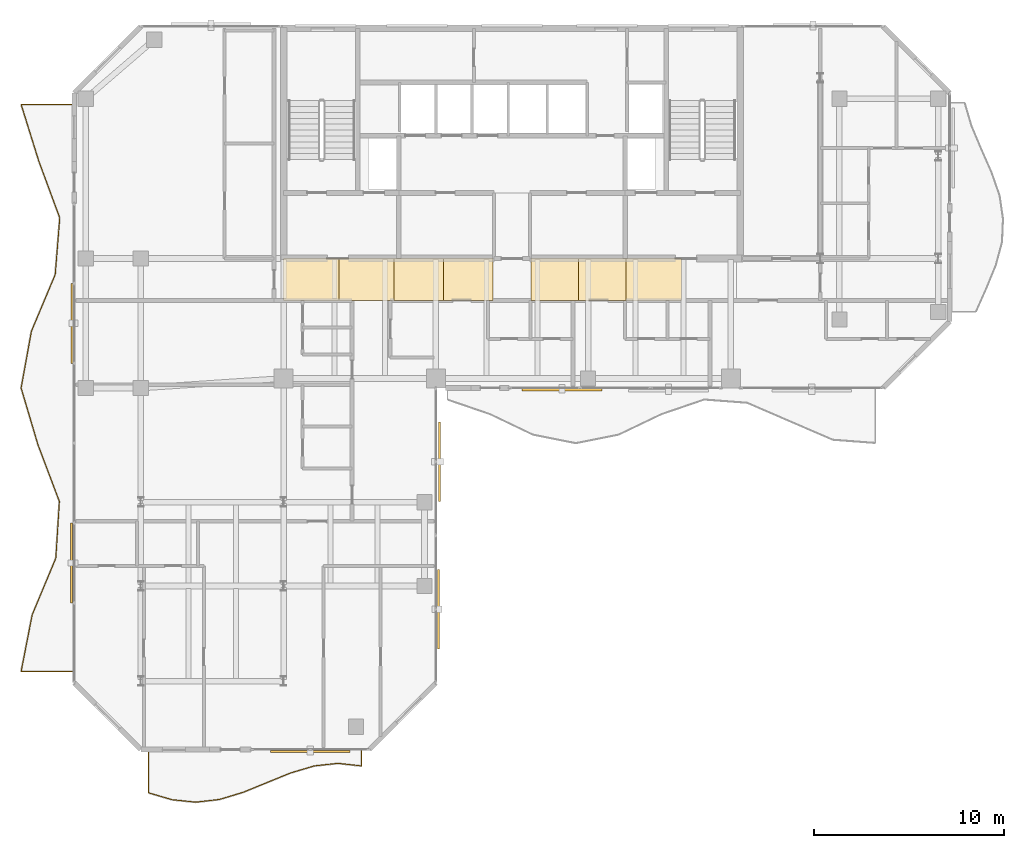
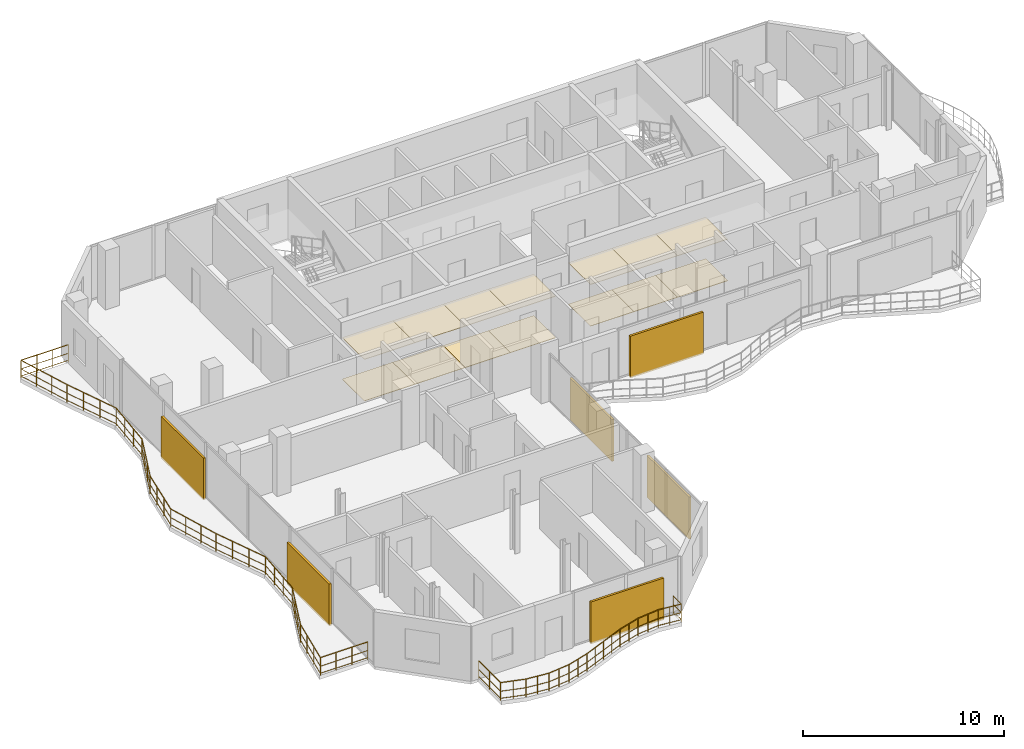
# One storey, part 21 of 23: 14 coverings, 6 shading devices, 2 railings.
"""IFC4 building model written with IfcOpenShell, lengths in metres."""

from ifc_helpers import new_model, si_unit, direction, frame, origin, origin_2d, place, context, subcontext, project, spatial, polyline, rectangle, circle, outline, extrude, material, layer, layer_set, type_object, element, save


model = new_model("IFC4")

# Units and contexts
model_context = context("Model", 3, precision=1e-05, world=origin(), true_north=direction((0.0, 1.0)))
body_context = subcontext(model_context, "Body", "Model", "MODEL_VIEW")
ifc_project = project(units=[si_unit("LENGTHUNIT", "METRE"), si_unit("AREAUNIT", "SQUARE_METRE"), si_unit("VOLUMEUNIT", "CUBIC_METRE"), si_unit("PLANEANGLEUNIT", "RADIAN"), si_unit("MASSUNIT", "GRAM", prefix="KILO")], contexts=[model_context])

# Site, building, storey
site_placement = place(None, origin())
site = spatial("IfcSite", under=ifc_project, at=site_placement, CompositionType="ELEMENT")
building_placement = place(site_placement, origin())
building = spatial("IfcBuilding", under=site, at=building_placement, Name="Catumbela Crestline Tower", CompositionType="ELEMENT")
storey_placement = place(building_placement, frame((0.0, 0.0, 183.0)))
storey = spatial("IfcBuildingStorey", under=building, at=storey_placement, Name="L47", CompositionType="ELEMENT", Elevation=183.0)

# Coverings
ifc_material_1 = material(Name="Mineral-fibre acoustic ceiling")
ifc_layer_1 = layer(ifc_material_1, 0.03, Name="Mineral-fibre acoustic ceiling")
ifc_layer_set_1 = layer_set([ifc_layer_1], Name="Mineral-fibre acoustic ceiling")
covering_type_1 = type_object("IfcCoveringType", Name="CC-AC", PredefinedType="CEILING", material=ifc_layer_set_1)
covering_1_placement = place(storey_placement, frame((0.0, 0.0, 2.52)))
element("IfcCovering", 1, at=covering_1_placement, inside=storey, type_object=covering_type_1, Name="L47 Corridor Acoustic Ceiling Bay 1", PredefinedType="CEILING", context=body_context, shape_type="SweptSolid", body=[
    extrude(outline(polyline([(16.0, 28.6), (18.9, 28.6), (18.9, 30.8), (16.0, 30.8), (16.0, 28.6)])), origin(), (0.0, 0.0, 1.0), 0.03),
])
covering_2_placement = place(storey_placement, frame((0.0, 0.0, 2.52)))
element("IfcCovering", 2, at=covering_2_placement, inside=storey, type_object=covering_type_1, Name="L47 Corridor Acoustic Ceiling Bay 2", PredefinedType="CEILING", context=body_context, shape_type="SweptSolid", body=[
    extrude(outline(polyline([(18.9, 28.6), (21.8, 28.6), (21.8, 30.8), (18.9, 30.8), (18.9, 28.6)])), origin(), (0.0, 0.0, 1.0), 0.03),
])
covering_3_placement = place(storey_placement, frame((0.0, 0.0, 2.52)))
element("IfcCovering", 3, at=covering_3_placement, inside=storey, type_object=covering_type_1, Name="L47 Corridor Acoustic Ceiling Bay 3", PredefinedType="CEILING", context=body_context, shape_type="SweptSolid", body=[
    extrude(outline(polyline([(21.8, 28.6), (24.4, 28.6), (24.4, 30.8), (21.8, 30.8), (21.8, 28.6)])), origin(), (0.0, 0.0, 1.0), 0.03),
])
covering_4_placement = place(storey_placement, frame((0.0, 0.0, 2.52)))
element("IfcCovering", 4, at=covering_4_placement, inside=storey, type_object=covering_type_1, Name="L47 Corridor Acoustic Ceiling Bay 4", PredefinedType="CEILING", context=body_context, shape_type="SweptSolid", body=[
    extrude(outline(polyline([(24.4, 28.6), (27.0, 28.6), (27.0, 30.8), (24.4, 30.8), (24.4, 28.6)])), origin(), (0.0, 0.0, 1.0), 0.03),
])
covering_5_placement = place(storey_placement, frame((0.0, 0.0, 2.52)))
element("IfcCovering", 5, at=covering_5_placement, inside=storey, type_object=covering_type_1, Name="L47 Corridor Acoustic Ceiling Bay 5", PredefinedType="CEILING", context=body_context, shape_type="SweptSolid", body=[
    extrude(outline(polyline([(29.0, 28.6), (31.5, 28.6), (31.5, 30.8), (29.0, 30.8), (29.0, 28.6)])), origin(), (0.0, 0.0, 1.0), 0.03),
])
covering_6_placement = place(storey_placement, frame((0.0, 0.0, 2.52)))
element("IfcCovering", 6, at=covering_6_placement, inside=storey, type_object=covering_type_1, Name="L47 Corridor Acoustic Ceiling Bay 6", PredefinedType="CEILING", context=body_context, shape_type="SweptSolid", body=[
    extrude(outline(polyline([(31.5, 28.6), (34.0, 28.6), (34.0, 30.8), (31.5, 30.8), (31.5, 28.6)])), origin(), (0.0, 0.0, 1.0), 0.03),
])
covering_7_placement = place(storey_placement, frame((0.0, 0.0, 2.52)))
element("IfcCovering", 7, at=covering_7_placement, inside=storey, type_object=covering_type_1, Name="L47 Corridor Acoustic Ceiling Bay 7", PredefinedType="CEILING", context=body_context, shape_type="SweptSolid", body=[
    extrude(outline(polyline([(34.0, 28.6), (36.9, 28.6), (36.9, 30.8), (34.0, 30.8), (34.0, 28.6)])), origin(), (0.0, 0.0, 1.0), 0.03),
])
ifc_material_2 = material(Name="Angolan grey-ochre granite", Category="masonry")
ifc_layer_2 = layer(ifc_material_2, 0.025, Name="Angolan grey-ochre granite")
ifc_layer_set_2 = layer_set([ifc_layer_2], Name="Angolan grey-ochre granite")
covering_type_2 = type_object("IfcCoveringType", Name="CF-GR", PredefinedType="FLOORING", material=ifc_layer_set_2)
covering_8_placement = place(storey_placement, origin())
element("IfcCovering", 8, at=covering_8_placement, inside=storey, type_object=covering_type_2, Name="L47 Corridor Granite Flooring Bay 1", PredefinedType="FLOORING", context=body_context, shape_type="SweptSolid", body=[
    extrude(outline(polyline([(16.0, 28.6), (18.9, 28.6), (18.9, 30.8), (16.0, 30.8), (16.0, 28.6)])), origin(), (0.0, 0.0, 1.0), 0.025),
])
covering_9_placement = place(storey_placement, origin())
element("IfcCovering", 9, at=covering_9_placement, inside=storey, type_object=covering_type_2, Name="L47 Corridor Granite Flooring Bay 2", PredefinedType="FLOORING", context=body_context, shape_type="SweptSolid", body=[
    extrude(outline(polyline([(18.9, 28.6), (21.8, 28.6), (21.8, 30.8), (18.9, 30.8), (18.9, 28.6)])), origin(), (0.0, 0.0, 1.0), 0.025),
])
covering_10_placement = place(storey_placement, origin())
element("IfcCovering", 10, at=covering_10_placement, inside=storey, type_object=covering_type_2, Name="L47 Corridor Granite Flooring Bay 3", PredefinedType="FLOORING", context=body_context, shape_type="SweptSolid", body=[
    extrude(outline(polyline([(21.8, 28.6), (24.4, 28.6), (24.4, 30.8), (21.8, 30.8), (21.8, 28.6)])), origin(), (0.0, 0.0, 1.0), 0.025),
])
covering_11_placement = place(storey_placement, origin())
element("IfcCovering", 11, at=covering_11_placement, inside=storey, type_object=covering_type_2, Name="L47 Corridor Granite Flooring Bay 4", PredefinedType="FLOORING", context=body_context, shape_type="SweptSolid", body=[
    extrude(outline(polyline([(24.4, 28.6), (27.0, 28.6), (27.0, 30.8), (24.4, 30.8), (24.4, 28.6)])), origin(), (0.0, 0.0, 1.0), 0.025),
])
covering_12_placement = place(storey_placement, origin())
element("IfcCovering", 12, at=covering_12_placement, inside=storey, type_object=covering_type_2, Name="L47 Corridor Granite Flooring Bay 5", PredefinedType="FLOORING", context=body_context, shape_type="SweptSolid", body=[
    extrude(outline(polyline([(29.0, 28.6), (31.5, 28.6), (31.5, 30.8), (29.0, 30.8), (29.0, 28.6)])), origin(), (0.0, 0.0, 1.0), 0.025),
])
covering_13_placement = place(storey_placement, origin())
element("IfcCovering", 13, at=covering_13_placement, inside=storey, type_object=covering_type_2, Name="L47 Corridor Granite Flooring Bay 6", PredefinedType="FLOORING", context=body_context, shape_type="SweptSolid", body=[
    extrude(outline(polyline([(31.5, 28.6), (34.0, 28.6), (34.0, 30.8), (31.5, 30.8), (31.5, 28.6)])), origin(), (0.0, 0.0, 1.0), 0.025),
])
covering_14_placement = place(storey_placement, origin())
element("IfcCovering", 14, at=covering_14_placement, inside=storey, type_object=covering_type_2, Name="L47 Corridor Granite Flooring Bay 7", PredefinedType="FLOORING", context=body_context, shape_type="SweptSolid", body=[
    extrude(outline(polyline([(34.0, 28.6), (36.9, 28.6), (36.9, 30.8), (34.0, 30.8), (34.0, 28.6)])), origin(), (0.0, 0.0, 1.0), 0.025),
])

# Railings
ifc_material_3 = material(Name="Stainless steel EN 1.4401", Category="steel")
railing_type = type_object("IfcRailingType", Name="RB-1100", PredefinedType="BALUSTRADE", material=ifc_material_3)
railing_1_placement = place(storey_placement, frame((8.9, 4.94, 0.0)))
element("IfcRailing", 15, at=railing_1_placement, inside=storey, type_object=railing_type, Name="L47 Private Wave Balcony Balustrade 3", PredefinedType="BALUSTRADE", context=body_context, shape_type="SweptSolid", body=[
    extrude(circle(Radius=0.024, at=origin_2d()), frame((0.0, 0.0, 1.076), z_axis=(0.0, -1.0, 0.0), x_axis=(1.0, 0.0, 0.0)), (0.0, 0.0, 1.0), 2.2074),
    extrude(circle(Radius=0.0156, at=origin_2d()), frame((0.0, 0.0, 0.55), z_axis=(0.0, -1.0, 0.0), x_axis=(1.0, 0.0, 0.0)), (0.0, 0.0, 1.0), 2.2074),
    extrude(circle(Radius=0.0156, at=origin_2d()), frame((0.0, 0.0, 0.12), z_axis=(0.0, -1.0, 0.0), x_axis=(1.0, 0.0, 0.0)), (0.0, 0.0, 1.0), 2.2074),
    extrude(circle(Radius=0.024, at=origin_2d()), frame((0.0, -2.2074, 1.076), z_axis=(0.959636438808, -0.281243498259, 0.0), x_axis=(0.281243498259, 0.959636438808, 0.0)), (0.0, 0.0, 1.0), 1.2967),
    extrude(circle(Radius=0.0156, at=origin_2d()), frame((0.0, -2.2074, 0.55), z_axis=(0.959636438808, -0.281243498259, 0.0), x_axis=(0.281243498259, 0.959636438808, 0.0)), (0.0, 0.0, 1.0), 1.2967),
    extrude(circle(Radius=0.0156, at=origin_2d()), frame((0.0, -2.2074, 0.12), z_axis=(0.959636438808, -0.281243498259, 0.0), x_axis=(0.281243498259, 0.959636438808, 0.0)), (0.0, 0.0, 1.0), 1.2967),
    extrude(circle(Radius=0.024, at=origin_2d()), frame((1.2444, -2.5721, 1.076), z_axis=(0.99476853318, -0.102154615139, 0.0), x_axis=(0.102154615139, 0.99476853318, 0.0)), (0.0, 0.0, 1.0), 1.251),
    extrude(circle(Radius=0.0156, at=origin_2d()), frame((1.2444, -2.5721, 0.55), z_axis=(0.99476853318, -0.102154615139, 0.0), x_axis=(0.102154615139, 0.99476853318, 0.0)), (0.0, 0.0, 1.0), 1.251),
    extrude(circle(Radius=0.0156, at=origin_2d()), frame((1.2444, -2.5721, 0.12), z_axis=(0.99476853318, -0.102154615139, 0.0), x_axis=(0.102154615139, 0.99476853318, 0.0)), (0.0, 0.0, 1.0), 1.251),
    extrude(circle(Radius=0.024, at=origin_2d()), frame((2.4889, -2.6999, 1.076), z_axis=(0.993452916822, 0.114242295401, 0.0), x_axis=(-0.114242295401, 0.993452916822, 0.0)), (0.0, 0.0, 1.0), 1.2526),
    extrude(circle(Radius=0.0156, at=origin_2d()), frame((2.4889, -2.6999, 0.55), z_axis=(0.993452916822, 0.114242295401, 0.0), x_axis=(-0.114242295401, 0.993452916822, 0.0)), (0.0, 0.0, 1.0), 1.2526),
    extrude(circle(Radius=0.0156, at=origin_2d()), frame((2.4889, -2.6999, 0.12), z_axis=(0.993452916822, 0.114242295401, 0.0), x_axis=(-0.114242295401, 0.993452916822, 0.0)), (0.0, 0.0, 1.0), 1.2526),
    extrude(circle(Radius=0.024, at=origin_2d()), frame((3.7333, -2.5568, 1.076), z_axis=(0.95724214329, 0.289287882757, 0.0), x_axis=(-0.289287882757, 0.95724214329, 0.0)), (0.0, 0.0, 1.0), 1.3001),
    extrude(circle(Radius=0.0156, at=origin_2d()), frame((3.7333, -2.5568, 0.55), z_axis=(0.95724214329, 0.289287882757, 0.0), x_axis=(-0.289287882757, 0.95724214329, 0.0)), (0.0, 0.0, 1.0), 1.3001),
    extrude(circle(Radius=0.0156, at=origin_2d()), frame((3.7333, -2.5568, 0.12), z_axis=(0.95724214329, 0.289287882757, 0.0), x_axis=(-0.289287882757, 0.95724214329, 0.0)), (0.0, 0.0, 1.0), 1.3001),
    extrude(circle(Radius=0.024, at=origin_2d()), frame((4.9778, -2.1807, 1.076), z_axis=(0.925565911687, 0.378586506789, 0.0), x_axis=(-0.378586506789, 0.925565911687, 0.0)), (0.0, 0.0, 1.0), 1.3445),
    extrude(circle(Radius=0.0156, at=origin_2d()), frame((4.9778, -2.1807, 0.55), z_axis=(0.925565911687, 0.378586506789, 0.0), x_axis=(-0.378586506789, 0.925565911687, 0.0)), (0.0, 0.0, 1.0), 1.3445),
    extrude(circle(Radius=0.0156, at=origin_2d()), frame((4.9778, -2.1807, 0.12), z_axis=(0.925565911687, 0.378586506789, 0.0), x_axis=(-0.378586506789, 0.925565911687, 0.0)), (0.0, 0.0, 1.0), 1.3445),
    extrude(circle(Radius=0.024, at=origin_2d()), frame((6.2222, -1.6717, 1.076), z_axis=(0.926149170652, 0.377157412364, 0.0), x_axis=(-0.377157412364, 0.926149170652, 0.0)), (0.0, 0.0, 1.0), 1.3437),
    extrude(circle(Radius=0.0156, at=origin_2d()), frame((6.2222, -1.6717, 0.55), z_axis=(0.926149170652, 0.377157412364, 0.0), x_axis=(-0.377157412364, 0.926149170652, 0.0)), (0.0, 0.0, 1.0), 1.3437),
    extrude(circle(Radius=0.0156, at=origin_2d()), frame((6.2222, -1.6717, 0.12), z_axis=(0.926149170652, 0.377157412364, 0.0), x_axis=(-0.377157412364, 0.926149170652, 0.0)), (0.0, 0.0, 1.0), 1.3437),
    extrude(circle(Radius=0.024, at=origin_2d()), frame((7.4667, -1.1649, 1.076), z_axis=(0.958527257268, 0.285000872058, 0.0), x_axis=(-0.285000872058, 0.958527257268, 0.0)), (0.0, 0.0, 1.0), 1.2982),
    extrude(circle(Radius=0.0156, at=origin_2d()), frame((7.4667, -1.1649, 0.55), z_axis=(0.958527257268, 0.285000872058, 0.0), x_axis=(-0.285000872058, 0.958527257268, 0.0)), (0.0, 0.0, 1.0), 1.2982),
    extrude(circle(Radius=0.0156, at=origin_2d()), frame((7.4667, -1.1649, 0.12), z_axis=(0.958527257268, 0.285000872058, 0.0), x_axis=(-0.285000872058, 0.958527257268, 0.0)), (0.0, 0.0, 1.0), 1.2982),
    extrude(circle(Radius=0.024, at=origin_2d()), frame((8.7111, -0.7949, 1.076), z_axis=(0.994176321749, 0.107765677625, 0.0), x_axis=(-0.107765677625, 0.994176321749, 0.0)), (0.0, 0.0, 1.0), 1.2518),
    extrude(circle(Radius=0.0156, at=origin_2d()), frame((8.7111, -0.7949, 0.55), z_axis=(0.994176321749, 0.107765677625, 0.0), x_axis=(-0.107765677625, 0.994176321749, 0.0)), (0.0, 0.0, 1.0), 1.2518),
    extrude(circle(Radius=0.0156, at=origin_2d()), frame((8.7111, -0.7949, 0.12), z_axis=(0.994176321749, 0.107765677625, 0.0), x_axis=(-0.107765677625, 0.994176321749, 0.0)), (0.0, 0.0, 1.0), 1.2518),
    extrude(circle(Radius=0.024, at=origin_2d()), frame((9.9556, -0.66, 1.076), z_axis=(0.994072231366, -0.108721657577, 0.0), x_axis=(0.108721657577, 0.994072231366, 0.0)), (0.0, 0.0, 1.0), 1.2518),
    extrude(circle(Radius=0.0156, at=origin_2d()), frame((9.9556, -0.66, 0.55), z_axis=(0.994072231366, -0.108721657577, 0.0), x_axis=(0.108721657577, 0.994072231366, 0.0)), (0.0, 0.0, 1.0), 1.2518),
    extrude(circle(Radius=0.0156, at=origin_2d()), frame((9.9556, -0.66, 0.12), z_axis=(0.994072231366, -0.108721657577, 0.0), x_axis=(0.108721657577, 0.994072231366, 0.0)), (0.0, 0.0, 1.0), 1.2518),
    extrude(circle(Radius=0.024, at=origin_2d()), frame((11.2, -0.7961, 1.076), z_axis=(0.0, 1.0, 0.0), x_axis=(-1.0, 0.0, 0.0)), (0.0, 0.0, 1.0), 0.7961),
    extrude(circle(Radius=0.0156, at=origin_2d()), frame((11.2, -0.7961, 0.55), z_axis=(0.0, 1.0, 0.0), x_axis=(-1.0, 0.0, 0.0)), (0.0, 0.0, 1.0), 0.7961),
    extrude(circle(Radius=0.0156, at=origin_2d()), frame((11.2, -0.7961, 0.12), z_axis=(0.0, 1.0, 0.0), x_axis=(-1.0, 0.0, 0.0)), (0.0, 0.0, 1.0), 0.7961),
    extrude(circle(Radius=0.021, at=origin_2d()), origin(), (0.0, 0.0, 1.0), 1.052),
    extrude(circle(Radius=0.021, at=origin_2d()), frame((0.0, -1.1037, 0.0)), (0.0, 0.0, 1.0), 1.052),
    extrude(circle(Radius=0.021, at=origin_2d()), frame((0.0, -2.2074, 0.0)), (0.0, 0.0, 1.0), 1.052),
    extrude(circle(Radius=0.021, at=origin_2d()), frame((0.6222, -2.3898, 0.0)), (0.0, 0.0, 1.0), 1.052),
    extrude(circle(Radius=0.021, at=origin_2d()), frame((1.2444, -2.5721, 0.0)), (0.0, 0.0, 1.0), 1.052),
    extrude(circle(Radius=0.021, at=origin_2d()), frame((1.8666, -2.636, 0.0)), (0.0, 0.0, 1.0), 1.052),
    extrude(circle(Radius=0.021, at=origin_2d()), frame((2.4889, -2.6999, 0.0)), (0.0, 0.0, 1.0), 1.052),
    extrude(circle(Radius=0.021, at=origin_2d()), frame((3.1111, -2.6284, 0.0)), (0.0, 0.0, 1.0), 1.052),
    extrude(circle(Radius=0.021, at=origin_2d()), frame((3.7333, -2.5568, 0.0)), (0.0, 0.0, 1.0), 1.052),
    extrude(circle(Radius=0.021, at=origin_2d()), frame((4.3556, -2.3688, 0.0)), (0.0, 0.0, 1.0), 1.052),
    extrude(circle(Radius=0.021, at=origin_2d()), frame((4.9778, -2.1807, 0.0)), (0.0, 0.0, 1.0), 1.052),
    extrude(circle(Radius=0.021, at=origin_2d()), frame((5.6, -1.9262, 0.0)), (0.0, 0.0, 1.0), 1.052),
    extrude(circle(Radius=0.021, at=origin_2d()), frame((6.2222, -1.6717, 0.0)), (0.0, 0.0, 1.0), 1.052),
    extrude(circle(Radius=0.021, at=origin_2d()), frame((6.8444, -1.4183, 0.0)), (0.0, 0.0, 1.0), 1.052),
    extrude(circle(Radius=0.021, at=origin_2d()), frame((7.4667, -1.1649, 0.0)), (0.0, 0.0, 1.0), 1.052),
    extrude(circle(Radius=0.021, at=origin_2d()), frame((8.0889, -0.9799, 0.0)), (0.0, 0.0, 1.0), 1.052),
    extrude(circle(Radius=0.021, at=origin_2d()), frame((8.7111, -0.7949, 0.0)), (0.0, 0.0, 1.0), 1.052),
    extrude(circle(Radius=0.021, at=origin_2d()), frame((9.3334, -0.7275, 0.0)), (0.0, 0.0, 1.0), 1.052),
    extrude(circle(Radius=0.021, at=origin_2d()), frame((9.9556, -0.66, 0.0)), (0.0, 0.0, 1.0), 1.052),
    extrude(circle(Radius=0.021, at=origin_2d()), frame((10.5778, -0.7281, 0.0)), (0.0, 0.0, 1.0), 1.052),
    extrude(circle(Radius=0.021, at=origin_2d()), frame((11.2, -0.7961, 0.0)), (0.0, 0.0, 1.0), 1.052),
    extrude(circle(Radius=0.021, at=origin_2d()), frame((11.2, 0.0, 0.0)), (0.0, 0.0, 1.0), 1.052),
])
railing_2_placement = place(storey_placement, frame((4.94, 38.9, 0.0)))
element("IfcRailing", 16, at=railing_2_placement, inside=storey, type_object=railing_type, Name="L47 Private Wave Balcony Balustrade 4", PredefinedType="BALUSTRADE", context=body_context, shape_type="SweptSolid", body=[
    extrude(circle(Radius=0.024, at=origin_2d()), frame((0.0, 0.0, 1.076), z_axis=(-1.0, 0.0, 0.0), x_axis=(0.0, -1.0, 0.0)), (0.0, 0.0, 1.0), 2.73),
    extrude(circle(Radius=0.0156, at=origin_2d()), frame((0.0, 0.0, 0.55), z_axis=(-1.0, 0.0, 0.0), x_axis=(0.0, -1.0, 0.0)), (0.0, 0.0, 1.0), 2.73),
    extrude(circle(Radius=0.0156, at=origin_2d()), frame((0.0, 0.0, 0.12), z_axis=(-1.0, 0.0, 0.0), x_axis=(0.0, -1.0, 0.0)), (0.0, 0.0, 1.0), 2.73),
    extrude(circle(Radius=0.024, at=origin_2d()), frame((-2.73, 0.0, 1.076), z_axis=(0.297910178725, -0.954593906021, 0.0), x_axis=(0.954593906021, 0.297910178725, 0.0)), (0.0, 0.0, 1.0), 3.1217),
    extrude(circle(Radius=0.0156, at=origin_2d()), frame((-2.73, 0.0, 0.55), z_axis=(0.297910178725, -0.954593906021, 0.0), x_axis=(0.954593906021, 0.297910178725, 0.0)), (0.0, 0.0, 1.0), 3.1217),
    extrude(circle(Radius=0.0156, at=origin_2d()), frame((-2.73, 0.0, 0.12), z_axis=(0.297910178725, -0.954593906021, 0.0), x_axis=(0.954593906021, 0.297910178725, 0.0)), (0.0, 0.0, 1.0), 3.1217),
    extrude(circle(Radius=0.024, at=origin_2d()), frame((-1.8, -2.98, 1.076), z_axis=(0.346261132373, -0.938138171171, 0.0), x_axis=(0.938138171171, 0.346261132373, 0.0)), (0.0, 0.0, 1.0), 3.1765),
    extrude(circle(Radius=0.0156, at=origin_2d()), frame((-1.8, -2.98, 0.55), z_axis=(0.346261132373, -0.938138171171, 0.0), x_axis=(0.938138171171, 0.346261132373, 0.0)), (0.0, 0.0, 1.0), 3.1765),
    extrude(circle(Radius=0.0156, at=origin_2d()), frame((-1.8, -2.98, 0.12), z_axis=(0.346261132373, -0.938138171171, 0.0), x_axis=(0.938138171171, 0.346261132373, 0.0)), (0.0, 0.0, 1.0), 3.1765),
    extrude(circle(Radius=0.024, at=origin_2d()), frame((-0.7001, -5.96, 1.076), z_axis=(-0.079844933458, -0.996807296623, 0.0), x_axis=(0.996807296623, -0.079844933458, 0.0)), (0.0, 0.0, 1.0), 2.9895),
    extrude(circle(Radius=0.0156, at=origin_2d()), frame((-0.7001, -5.96, 0.55), z_axis=(-0.079844933458, -0.996807296623, 0.0), x_axis=(0.996807296623, -0.079844933458, 0.0)), (0.0, 0.0, 1.0), 2.9895),
    extrude(circle(Radius=0.0156, at=origin_2d()), frame((-0.7001, -5.96, 0.12), z_axis=(-0.079844933458, -0.996807296623, 0.0), x_axis=(0.996807296623, -0.079844933458, 0.0)), (0.0, 0.0, 1.0), 2.9895),
    extrude(circle(Radius=0.024, at=origin_2d()), frame((-0.9388, -8.94, 1.076), z_axis=(-0.387127277892, -0.922026285261, 0.0), x_axis=(0.922026285261, -0.387127277892, 0.0)), (0.0, 0.0, 1.0), 3.232),
    extrude(circle(Radius=0.0156, at=origin_2d()), frame((-0.9388, -8.94, 0.55), z_axis=(-0.387127277892, -0.922026285261, 0.0), x_axis=(0.922026285261, -0.387127277892, 0.0)), (0.0, 0.0, 1.0), 3.232),
    extrude(circle(Radius=0.0156, at=origin_2d()), frame((-0.9388, -8.94, 0.12), z_axis=(-0.387127277892, -0.922026285261, 0.0), x_axis=(0.922026285261, -0.387127277892, 0.0)), (0.0, 0.0, 1.0), 3.232),
    extrude(circle(Radius=0.024, at=origin_2d()), frame((-2.19, -11.92, 1.076), z_axis=(-0.178304267161, -0.983975400258, 0.0), x_axis=(0.983975400258, -0.178304267161, 0.0)), (0.0, 0.0, 1.0), 3.0285),
    extrude(circle(Radius=0.0156, at=origin_2d()), frame((-2.19, -11.92, 0.55), z_axis=(-0.178304267161, -0.983975400258, 0.0), x_axis=(0.983975400258, -0.178304267161, 0.0)), (0.0, 0.0, 1.0), 3.0285),
    extrude(circle(Radius=0.0156, at=origin_2d()), frame((-2.19, -11.92, 0.12), z_axis=(-0.178304267161, -0.983975400258, 0.0), x_axis=(0.983975400258, -0.178304267161, 0.0)), (0.0, 0.0, 1.0), 3.0285),
    extrude(circle(Radius=0.024, at=origin_2d()), frame((-2.73, -14.9, 1.076), z_axis=(0.284749792045, -0.958601875614, 0.0), x_axis=(0.958601875614, 0.284749792045, 0.0)), (0.0, 0.0, 1.0), 3.1087),
    extrude(circle(Radius=0.0156, at=origin_2d()), frame((-2.73, -14.9, 0.55), z_axis=(0.284749792045, -0.958601875614, 0.0), x_axis=(0.958601875614, 0.284749792045, 0.0)), (0.0, 0.0, 1.0), 3.1087),
    extrude(circle(Radius=0.0156, at=origin_2d()), frame((-2.73, -14.9, 0.12), z_axis=(0.284749792045, -0.958601875614, 0.0), x_axis=(0.958601875614, 0.284749792045, 0.0)), (0.0, 0.0, 1.0), 3.1087),
    extrude(circle(Radius=0.024, at=origin_2d()), frame((-1.8448, -17.88, 1.076), z_axis=(0.35315939818, -0.935563167016, 0.0), x_axis=(0.935563167016, 0.35315939818, 0.0)), (0.0, 0.0, 1.0), 3.1852),
    extrude(circle(Radius=0.0156, at=origin_2d()), frame((-1.8448, -17.88, 0.55), z_axis=(0.35315939818, -0.935563167016, 0.0), x_axis=(0.935563167016, 0.35315939818, 0.0)), (0.0, 0.0, 1.0), 3.1852),
    extrude(circle(Radius=0.0156, at=origin_2d()), frame((-1.8448, -17.88, 0.12), z_axis=(0.35315939818, -0.935563167016, 0.0), x_axis=(0.935563167016, 0.35315939818, 0.0)), (0.0, 0.0, 1.0), 3.1852),
    extrude(circle(Radius=0.024, at=origin_2d()), frame((-0.7199, -20.86, 1.076), z_axis=(-0.062495049702, -0.998045273904, 0.0), x_axis=(0.998045273904, -0.062495049702, 0.0)), (0.0, 0.0, 1.0), 2.9858),
    extrude(circle(Radius=0.0156, at=origin_2d()), frame((-0.7199, -20.86, 0.55), z_axis=(-0.062495049702, -0.998045273904, 0.0), x_axis=(0.998045273904, -0.062495049702, 0.0)), (0.0, 0.0, 1.0), 2.9858),
    extrude(circle(Radius=0.0156, at=origin_2d()), frame((-0.7199, -20.86, 0.12), z_axis=(-0.062495049702, -0.998045273904, 0.0), x_axis=(0.998045273904, -0.062495049702, 0.0)), (0.0, 0.0, 1.0), 2.9858),
    extrude(circle(Radius=0.024, at=origin_2d()), frame((-0.9065, -23.84, 1.076), z_axis=(-0.385019974445, -0.922908239902, 0.0), x_axis=(0.922908239902, -0.385019974445, 0.0)), (0.0, 0.0, 1.0), 3.2289),
    extrude(circle(Radius=0.0156, at=origin_2d()), frame((-0.9065, -23.84, 0.55), z_axis=(-0.385019974445, -0.922908239902, 0.0), x_axis=(0.922908239902, -0.385019974445, 0.0)), (0.0, 0.0, 1.0), 3.2289),
    extrude(circle(Radius=0.0156, at=origin_2d()), frame((-0.9065, -23.84, 0.12), z_axis=(-0.385019974445, -0.922908239902, 0.0), x_axis=(0.922908239902, -0.385019974445, 0.0)), (0.0, 0.0, 1.0), 3.2289),
    extrude(circle(Radius=0.024, at=origin_2d()), frame((-2.1497, -26.82, 1.076), z_axis=(-0.191141191072, -0.981562552808, 0.0), x_axis=(0.981562552808, -0.191141191072, 0.0)), (0.0, 0.0, 1.0), 3.036),
    extrude(circle(Radius=0.0156, at=origin_2d()), frame((-2.1497, -26.82, 0.55), z_axis=(-0.191141191072, -0.981562552808, 0.0), x_axis=(0.981562552808, -0.191141191072, 0.0)), (0.0, 0.0, 1.0), 3.036),
    extrude(circle(Radius=0.0156, at=origin_2d()), frame((-2.1497, -26.82, 0.12), z_axis=(-0.191141191072, -0.981562552808, 0.0), x_axis=(0.981562552808, -0.191141191072, 0.0)), (0.0, 0.0, 1.0), 3.036),
    extrude(circle(Radius=0.024, at=origin_2d()), frame((-2.73, -29.8, 1.076), z_axis=(1.0, 0.0, 0.0), x_axis=(0.0, 1.0, 0.0)), (0.0, 0.0, 1.0), 2.73),
    extrude(circle(Radius=0.0156, at=origin_2d()), frame((-2.73, -29.8, 0.55), z_axis=(1.0, 0.0, 0.0), x_axis=(0.0, 1.0, 0.0)), (0.0, 0.0, 1.0), 2.73),
    extrude(circle(Radius=0.0156, at=origin_2d()), frame((-2.73, -29.8, 0.12), z_axis=(1.0, 0.0, 0.0), x_axis=(0.0, 1.0, 0.0)), (0.0, 0.0, 1.0), 2.73),
    extrude(circle(Radius=0.021, at=origin_2d()), origin(), (0.0, 0.0, 1.0), 1.052),
    extrude(circle(Radius=0.021, at=origin_2d()), frame((-0.91, 0.0, 0.0)), (0.0, 0.0, 1.0), 1.052),
    extrude(circle(Radius=0.021, at=origin_2d()), frame((-1.82, 0.0, 0.0)), (0.0, 0.0, 1.0), 1.052),
    extrude(circle(Radius=0.021, at=origin_2d()), frame((-2.73, 0.0, 0.0)), (0.0, 0.0, 1.0), 1.052),
    extrude(circle(Radius=0.021, at=origin_2d()), frame((-2.42, -0.9933, 0.0)), (0.0, 0.0, 1.0), 1.052),
    extrude(circle(Radius=0.021, at=origin_2d()), frame((-2.11, -1.9867, 0.0)), (0.0, 0.0, 1.0), 1.052),
    extrude(circle(Radius=0.021, at=origin_2d()), frame((-1.8, -2.98, 0.0)), (0.0, 0.0, 1.0), 1.052),
    extrude(circle(Radius=0.021, at=origin_2d()), frame((-1.4334, -3.9733, 0.0)), (0.0, 0.0, 1.0), 1.052),
    extrude(circle(Radius=0.021, at=origin_2d()), frame((-1.0667, -4.9667, 0.0)), (0.0, 0.0, 1.0), 1.052),
    extrude(circle(Radius=0.021, at=origin_2d()), frame((-0.7001, -5.96, 0.0)), (0.0, 0.0, 1.0), 1.052),
    extrude(circle(Radius=0.021, at=origin_2d()), frame((-0.7797, -6.9533, 0.0)), (0.0, 0.0, 1.0), 1.052),
    extrude(circle(Radius=0.021, at=origin_2d()), frame((-0.8592, -7.9467, 0.0)), (0.0, 0.0, 1.0), 1.052),
    extrude(circle(Radius=0.021, at=origin_2d()), frame((-0.9388, -8.94, 0.0)), (0.0, 0.0, 1.0), 1.052),
    extrude(circle(Radius=0.021, at=origin_2d()), frame((-1.3559, -9.9333, 0.0)), (0.0, 0.0, 1.0), 1.052),
    extrude(circle(Radius=0.021, at=origin_2d()), frame((-1.7729, -10.9267, 0.0)), (0.0, 0.0, 1.0), 1.052),
    extrude(circle(Radius=0.021, at=origin_2d()), frame((-2.19, -11.92, 0.0)), (0.0, 0.0, 1.0), 1.052),
    extrude(circle(Radius=0.021, at=origin_2d()), frame((-2.37, -12.9133, 0.0)), (0.0, 0.0, 1.0), 1.052),
    extrude(circle(Radius=0.021, at=origin_2d()), frame((-2.55, -13.9067, 0.0)), (0.0, 0.0, 1.0), 1.052),
    extrude(circle(Radius=0.021, at=origin_2d()), frame((-2.73, -14.9, 0.0)), (0.0, 0.0, 1.0), 1.052),
    extrude(circle(Radius=0.021, at=origin_2d()), frame((-2.4349, -15.8933, 0.0)), (0.0, 0.0, 1.0), 1.052),
    extrude(circle(Radius=0.021, at=origin_2d()), frame((-2.1399, -16.8867, 0.0)), (0.0, 0.0, 1.0), 1.052),
    extrude(circle(Radius=0.021, at=origin_2d()), frame((-1.8448, -17.88, 0.0)), (0.0, 0.0, 1.0), 1.052),
    extrude(circle(Radius=0.021, at=origin_2d()), frame((-1.4698, -18.8733, 0.0)), (0.0, 0.0, 1.0), 1.052),
    extrude(circle(Radius=0.021, at=origin_2d()), frame((-1.0949, -19.8667, 0.0)), (0.0, 0.0, 1.0), 1.052),
    extrude(circle(Radius=0.021, at=origin_2d()), frame((-0.7199, -20.86, 0.0)), (0.0, 0.0, 1.0), 1.052),
    extrude(circle(Radius=0.021, at=origin_2d()), frame((-0.7821, -21.8533, 0.0)), (0.0, 0.0, 1.0), 1.052),
    extrude(circle(Radius=0.021, at=origin_2d()), frame((-0.8443, -22.8467, 0.0)), (0.0, 0.0, 1.0), 1.052),
    extrude(circle(Radius=0.021, at=origin_2d()), frame((-0.9065, -23.84, 0.0)), (0.0, 0.0, 1.0), 1.052),
    extrude(circle(Radius=0.021, at=origin_2d()), frame((-1.3209, -24.8333, 0.0)), (0.0, 0.0, 1.0), 1.052),
    extrude(circle(Radius=0.021, at=origin_2d()), frame((-1.7353, -25.8267, 0.0)), (0.0, 0.0, 1.0), 1.052),
    extrude(circle(Radius=0.021, at=origin_2d()), frame((-2.1497, -26.82, 0.0)), (0.0, 0.0, 1.0), 1.052),
    extrude(circle(Radius=0.021, at=origin_2d()), frame((-2.3431, -27.8133, 0.0)), (0.0, 0.0, 1.0), 1.052),
    extrude(circle(Radius=0.021, at=origin_2d()), frame((-2.5366, -28.8067, 0.0)), (0.0, 0.0, 1.0), 1.052),
    extrude(circle(Radius=0.021, at=origin_2d()), frame((-2.73, -29.8, 0.0)), (0.0, 0.0, 1.0), 1.052),
    extrude(circle(Radius=0.021, at=origin_2d()), frame((-1.82, -29.8, 0.0)), (0.0, 0.0, 1.0), 1.052),
    extrude(circle(Radius=0.021, at=origin_2d()), frame((-0.91, -29.8, 0.0)), (0.0, 0.0, 1.0), 1.052),
    extrude(circle(Radius=0.021, at=origin_2d()), frame((0.0, -29.8, 0.0)), (0.0, 0.0, 1.0), 1.052),
])

# Shading devices
ifc_material_4 = material(Name="Extruded terracotta ceramic", Category="masonry")
shading_device_type_1 = type_object("IfcShadingDeviceType", Name="ST-180", PredefinedType="USERDEFINED", material=ifc_material_4)
for number, where, z_axis, x_axis, name in (
    (17, (17.4, 4.901, -0.1), (0.0, 0.0, 1.0), (1.0, 0.0, 0.0), "L47 Perforated Terracotta Solar Screen 544 (180 mm)"),
    (18, (30.6375, 23.901, -0.1), (0.0, 0.0, 1.0), (1.0, 0.0, 0.0), "L47 Perforated Terracotta Solar Screen 547 (180 mm)"),
    (19, (4.901, 27.4, -0.1), (0.0, 0.0, 1.0), (0.0, -1.0, 0.0), "L47 Perforated Terracotta Solar Screen 553 (180 mm)"),
):
    element("IfcShadingDevice", number, at=place(storey_placement, frame(where, z_axis=z_axis, x_axis=x_axis)), inside=storey, type_object=shading_device_type_1, Name=name, ObjectType="SCREEN", PredefinedType="USERDEFINED", context=body_context, shape_type="SweptSolid", body=[
        extrude(rectangle(XDim=4.2, YDim=0.12, at=origin_2d()), origin(), (0.0, 0.0, 1.0), 2.55),
    ])
shading_device_type_2 = type_object("IfcShadingDeviceType", Name="ST-260", PredefinedType="USERDEFINED", material=ifc_material_4)
for number, where, z_axis, x_axis, name in (
    (20, (24.143, 12.375, -0.1), (0.0, 0.0, 1.0), (0.0, 1.0, 0.0), "L47 Perforated Terracotta Solar Screen 545 (260 mm)"),
    (21, (4.857, 14.8, -0.1), (0.0, 0.0, 1.0), (0.0, -1.0, 0.0), "L47 Perforated Terracotta Solar Screen 554 (260 mm)"),
):
    element("IfcShadingDevice", number, at=place(storey_placement, frame(where, z_axis=z_axis, x_axis=x_axis)), inside=storey, type_object=shading_device_type_2, Name=name, ObjectType="SCREEN", PredefinedType="USERDEFINED", context=body_context, shape_type="SweptSolid", body=[
        extrude(rectangle(XDim=4.2, YDim=0.12, at=origin_2d()), origin(), (0.0, 0.0, 1.0), 2.55),
    ])
shading_device_type_3 = type_object("IfcShadingDeviceType", Name="ST-340", PredefinedType="USERDEFINED", material=ifc_material_4)
shading_device_placement = place(storey_placement, frame((24.187, 20.125, -0.1), z_axis=(0.0, 0.0, 1.0), x_axis=(0.0, 1.0, 0.0)))
element("IfcShadingDevice", 22, at=shading_device_placement, inside=storey, type_object=shading_device_type_3, Name="L47 Perforated Terracotta Solar Screen 546 (340 mm)", ObjectType="SCREEN", PredefinedType="USERDEFINED", context=body_context, shape_type="SweptSolid", body=[
    extrude(rectangle(XDim=4.2, YDim=0.12, at=origin_2d()), origin(), (0.0, 0.0, 1.0), 2.55),
])

save(model, "model.ifc")
